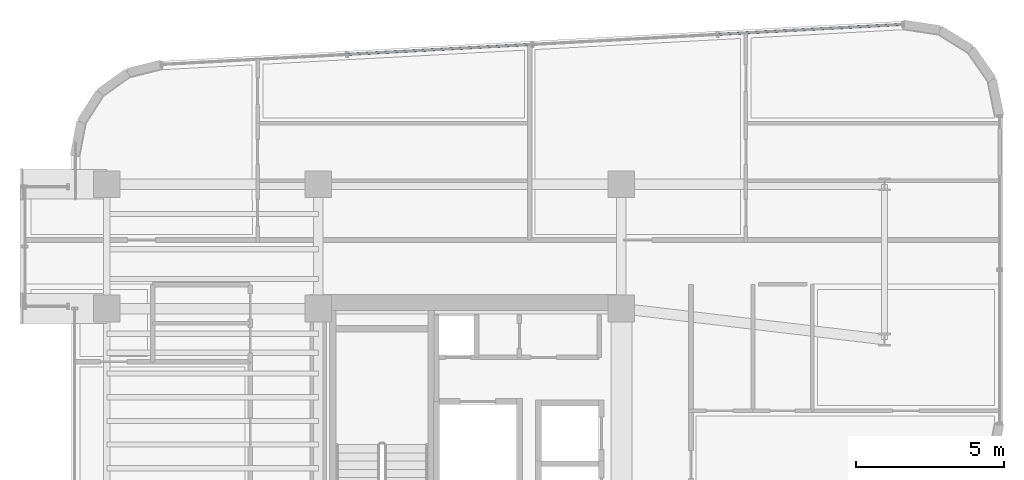
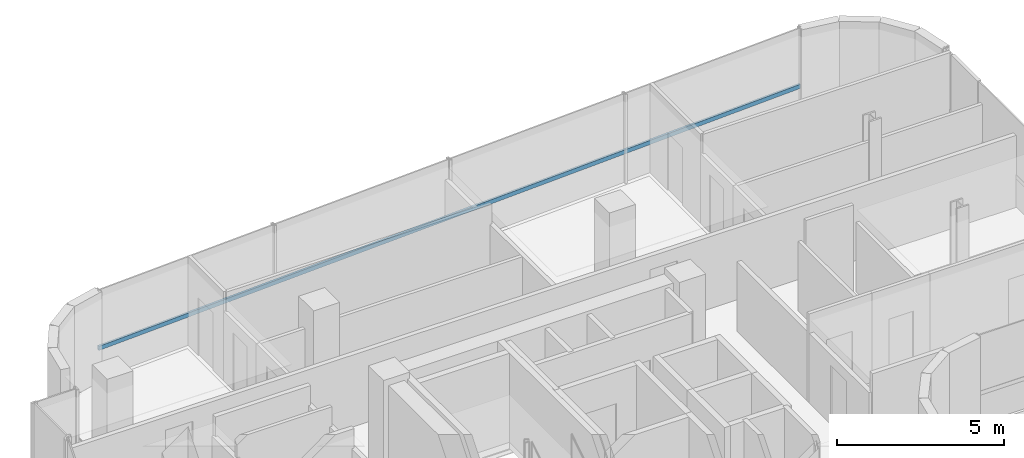
# One storey, part 14 of 23: 1 member, 1 element without a shape of its own.
"""IFC4 building model written with IfcOpenShell, lengths in metres."""

from ifc_helpers import new_model, si_unit, direction, frame, origin, origin_2d, place, context, subcontext, project, spatial, hollow_rectangle, extrude, source, transform, mapped, material, material_profile, profile_set, type_object, element, aggregate, save


model = new_model("IFC4")

# Units and contexts
model_context = context("Model", 3, precision=1e-05, world=origin(), true_north=direction((0.0, 1.0)))
body_context = subcontext(model_context, "Body", "Model", "MODEL_VIEW")
ifc_project = project(units=[si_unit("LENGTHUNIT", "METRE"), si_unit("AREAUNIT", "SQUARE_METRE"), si_unit("VOLUMEUNIT", "CUBIC_METRE"), si_unit("PLANEANGLEUNIT", "RADIAN"), si_unit("MASSUNIT", "GRAM", prefix="KILO")], contexts=[model_context])

# Site, building, storey
site_placement = place(None, origin())
site = spatial("IfcSite", under=ifc_project, at=site_placement, CompositionType="ELEMENT")
building_placement = place(site_placement, origin())
building = spatial("IfcBuilding", under=site, at=building_placement, Name="Valdorenza Pilgrim Sanctuary Tower", CompositionType="ELEMENT")
storey_placement = place(building_placement, frame((0.0, 0.0, 226.5)))
storey = spatial("IfcBuildingStorey", under=building, at=storey_placement, Name="L58", CompositionType="ELEMENT", Elevation=226.5)

# Curtain wall, member
ifc_material_1 = material(Name="Curtain-wall IGU glazing", Category="glass")
curtain_wall_type = type_object("IfcCurtainWallType", Name="CW-SYS-02", PredefinedType="NOTDEFINED", material=ifc_material_1)
curtain_wall_placement = place(storey_placement, origin())
curtain_wall = element("IfcCurtainWall", 1, at=curtain_wall_placement, inside=storey, type_object=curtain_wall_type, Name="L58 Curtain Wall CW-L58-1-6", PredefinedType="NOTDEFINED")
ifc_material_2 = material(Name="Anodised aluminium AW-6060", Category="aluminium")
ifc_material_profile = material_profile(ifc_material_2, hollow_rectangle(XDim=0.074951171875, YDim=0.14990234375, WallThickness=0.00390625, at=origin_2d()), Name="ALU-T 150x75x4")
ifc_profile_set = profile_set([ifc_material_profile], Name="Anodised aluminium AW-6060")
member_type = type_object("IfcMemberType", Name="CW-TRN-02", PredefinedType="USERDEFINED", material=ifc_profile_set)
shared_shape = source(origin(), body_context, "Body", "SweptSolid", [
    extrude(hollow_rectangle(XDim=0.074951171875, YDim=0.14990234375, WallThickness=0.00390625, at=origin_2d()), origin(), (0.0, 0.0, 1.0), 25.114990234375),
])
member_placement = place(storey_placement, frame((-27.9560546875, 18.85400390625, 1.1201171875), z_axis=(0.998546716184, 0.053893001378, 0.0), x_axis=(-0.053893001378, 0.998546716184, 0.0)))
member = element("IfcMember", 2, at=member_placement, type_object=member_type, Name="CW-L58-1-6 Transom 1", ObjectType="TRANSOM", PredefinedType="USERDEFINED", context=body_context, shape_type="MappedRepresentation", body=[
    mapped(shared_shape, transform((0.0, 0.0, 0.0), x_axis=(1.0, 0.0, 0.0), y_axis=(0.0, 1.0, 0.0), z_axis=(0.0, 0.0, 1.0), scale=1.0)),
])
aggregate(curtain_wall, [member])

save(model, "model.ifc")
